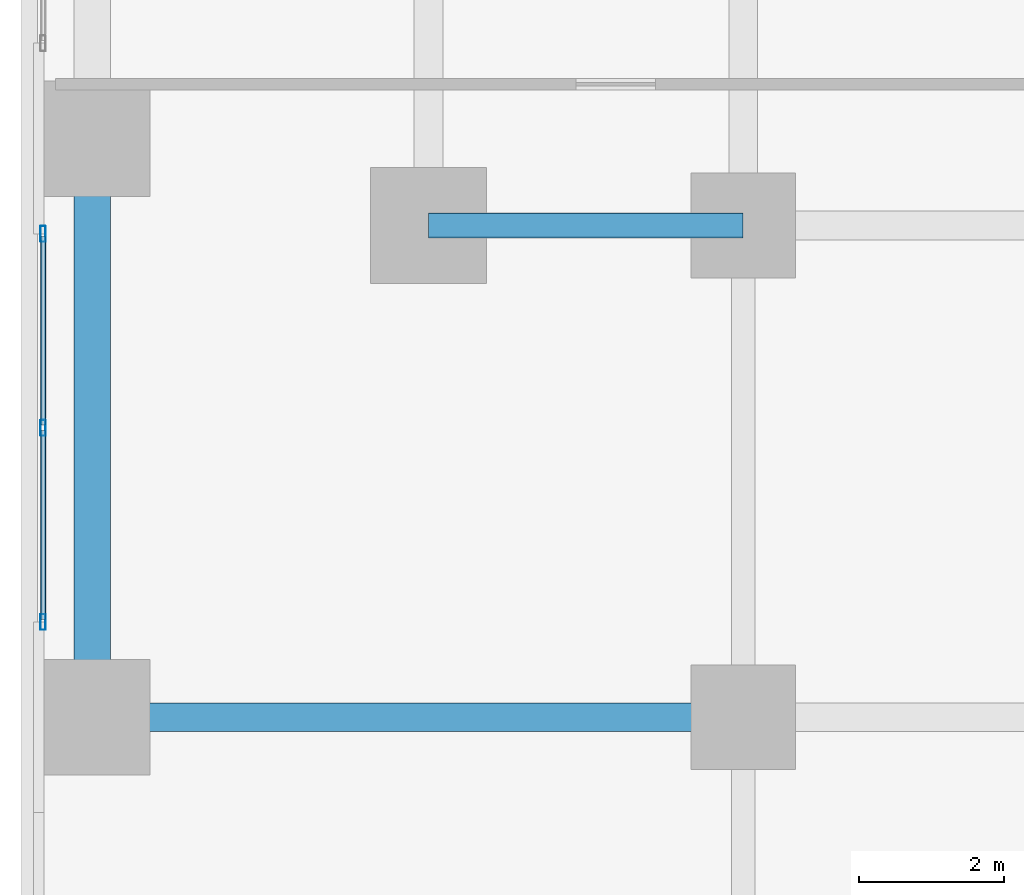
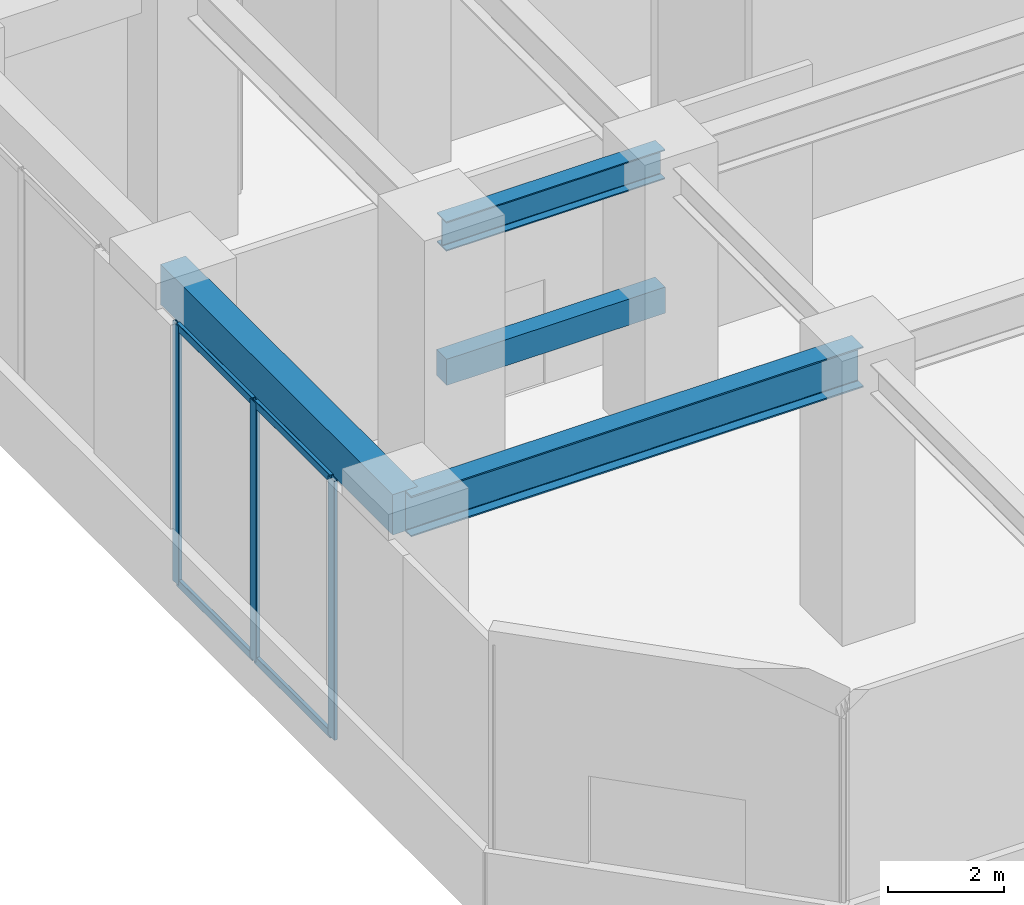
# One storey, part 3 of 34: 7 members, 4 beams, 1 element without a shape of its own.
"""IFC4 building model written with IfcOpenShell, lengths in metres."""

from ifc_helpers import new_model, si_unit, direction, frame, origin, origin_2d, place, context, subcontext, project, spatial, rectangle, hollow_rectangle, i_section, extrude, source, transform, mapped, material, material_profile, profile_set, type_object, element, aggregate, save


model = new_model("IFC4")

# Units and contexts
model_context = context("Model", 3, precision=1e-05, world=origin(), true_north=direction((0.0, 1.0)))
body_context = subcontext(model_context, "Body", "Model", "MODEL_VIEW")
ifc_project = project(units=[si_unit("LENGTHUNIT", "METRE"), si_unit("AREAUNIT", "SQUARE_METRE"), si_unit("VOLUMEUNIT", "CUBIC_METRE"), si_unit("PLANEANGLEUNIT", "RADIAN"), si_unit("MASSUNIT", "GRAM", prefix="KILO")], contexts=[model_context])

# Site, building, storey
site_placement = place(None, origin())
site = spatial("IfcSite", under=ifc_project, at=site_placement, CompositionType="ELEMENT")
building_placement = place(site_placement, origin())
building = spatial("IfcBuilding", under=site, at=building_placement, Name="Torre Montelarca", CompositionType="ELEMENT")
storey_placement = place(building_placement, frame((0.0, 0.0, 6.0)))
storey = spatial("IfcBuildingStorey", under=building, at=storey_placement, Name="L02", CompositionType="ELEMENT", Elevation=6.0)

# Beams
ifc_material_1 = material(Name="Steel ASTM A992 Grade 50", Category="steel")
ifc_material_profile_1 = material_profile(ifc_material_1, i_section(OverallWidth=0.39990234375, OverallDepth=0.85498046875, WebThickness=0.018310546875, FlangeThickness=0.029296875, FilletRadius=0.02001953125, at=origin_2d()), Name="W840X299", Category="steel")
ifc_profile_set_1 = profile_set([ifc_material_profile_1], Name="Steel ASTM A992 Grade 50")
beam_type_1 = type_object("IfcBeamType", Name="BM-G-W840", PredefinedType="BEAM", material=ifc_profile_set_1)
shared_shape_1 = source(origin(), body_context, "Body", "SweptSolid", [
    extrude(i_section(OverallWidth=0.39990234375, OverallDepth=0.85498046875, WebThickness=0.018310546875, FlangeThickness=0.029296875, FilletRadius=0.02001953125, at=origin_2d()), origin(), (0.0, 0.0, 1.0), 9.0),
])
beam_1_placement = place(storey_placement, frame((0.0, 8.0, 5.31201171875), z_axis=(1.0, 0.0, 0.0), x_axis=(0.0, 1.0, 0.0)))
element("IfcBeam", 1, at=beam_1_placement, inside=storey, type_object=beam_type_1, Name="L02 Grid Girder X 0.0-9.0 at Y=8.0", PredefinedType="BEAM", context=body_context, shape_type="MappedRepresentation", body=[
    mapped(shared_shape_1, transform((0.0, 0.0, 0.0), scale=1.0)),
])
ifc_material_profile_2 = material_profile(ifc_material_1, i_section(OverallWidth=0.326904296875, OverallDepth=0.6220703125, WebThickness=0.015380859375, FlangeThickness=0.0244140625, FilletRadius=0.014892578125, at=origin_2d()), Name="W610X195", Category="steel")
ifc_profile_set_2 = profile_set([ifc_material_profile_2], Name="Steel ASTM A992 Grade 50")
beam_type_2 = type_object("IfcBeamType", Name="BM-G-W610H", PredefinedType="BEAM", material=ifc_profile_set_2)
shared_shape_2 = source(origin(), body_context, "Body", "SweptSolid", [
    extrude(i_section(OverallWidth=0.326904296875, OverallDepth=0.6220703125, WebThickness=0.015380859375, FlangeThickness=0.0244140625, FilletRadius=0.014892578125, at=origin_2d()), origin(), (0.0, 0.0, 1.0), 4.35009765625),
])
beam_2_placement = place(storey_placement, frame((4.64990234375, 14.800048828125, 5.428955078125), z_axis=(1.0, 0.0, 0.0), x_axis=(0.0, 1.0, 0.0)))
element("IfcBeam", 2, at=beam_2_placement, inside=storey, type_object=beam_type_2, Name="L02 Grid Girder X 4.7-9.0 at Y=14.8", PredefinedType="BEAM", context=body_context, shape_type="MappedRepresentation", body=[
    mapped(shared_shape_2, transform((0.0, 0.0, 0.0), scale=1.0)),
])
ifc_material_2 = material(Name="Concrete C55/67", Category="concrete")
ifc_material_profile_3 = material_profile(ifc_material_2, rectangle(XDim=0.5, YDim=0.85009765625, at=origin_2d()), Name="RCB500X850", Category="concrete")
ifc_profile_set_3 = profile_set([ifc_material_profile_3], Name="Concrete C55/67")
beam_type_3 = type_object("IfcBeamType", Name="BM-SP-RC850-EXT", PredefinedType="SPANDREL", material=ifc_profile_set_3)
shared_shape_3 = source(origin(), body_context, "Body", "SweptSolid", [
    extrude(rectangle(XDim=0.5, YDim=0.85009765625, at=origin_2d()), origin(), (0.0, 0.0, 1.0), 8.0),
])
beam_3_placement = place(storey_placement, frame((0.0, 8.0, 5.31494140625), z_axis=(0.0, 1.0, 0.0), x_axis=(-1.0, 0.0, 0.0)))
element("IfcBeam", 3, at=beam_3_placement, inside=storey, type_object=beam_type_3, Name="L02 Grid Girder Y 8.0-16.0 at X=0.0", PredefinedType="SPANDREL", context=body_context, shape_type="MappedRepresentation", body=[
    mapped(shared_shape_3, transform((0.0, 0.0, 0.0), scale=1.0)),
])
ifc_material_profile_4 = material_profile(ifc_material_2, rectangle(XDim=0.35009765625, YDim=0.550048828125, at=origin_2d()), Name="RCB350X550", Category="concrete")
ifc_profile_set_4 = profile_set([ifc_material_profile_4], Name="Concrete C55/67")
beam_type_4 = type_object("IfcBeamType", Name="BM-LN-RC550", PredefinedType="LINTEL", material=ifc_profile_set_4)
shared_shape_4 = source(origin(), body_context, "Body", "SweptSolid", [
    extrude(rectangle(XDim=0.35009765625, YDim=0.550048828125, at=origin_2d()), origin(), (0.0, 0.0, 1.0), 4.35009765625),
])
beam_4_placement = place(storey_placement, frame((4.64990234375, 14.800048828125, 2.580078125), z_axis=(1.0, 0.0, 0.0), x_axis=(0.0, 1.0, 0.0)))
element("IfcBeam", 4, at=beam_4_placement, inside=storey, type_object=beam_type_4, Name="L02 Gallery Header Lintel Beam", PredefinedType="LINTEL", context=body_context, shape_type="MappedRepresentation", body=[
    mapped(shared_shape_4, transform((0.0, 0.0, 0.0), scale=1.0)),
])

# Curtain wall, members
ifc_material_3 = material(Name="Insulated low-E laminated glass", Category="glass")
curtain_wall_type = type_object("IfcCurtainWallType", Name="CW-SYS-POD2", PredefinedType="USERDEFINED", material=ifc_material_3)
curtain_wall_placement = place(storey_placement, origin())
curtain_wall = element("IfcCurtainWall", 5, at=curtain_wall_placement, inside=storey, type_object=curtain_wall_type, Name="L02 Curtain Wall Run CW-T3-L02-E10-B4", ObjectType="UNITISED GLAZING", PredefinedType="USERDEFINED")
ifc_material_4 = material(Name="Anodised aluminium AA 6063-T6", Category="aluminium")
ifc_material_profile_5 = material_profile(ifc_material_4, hollow_rectangle(XDim=0.074951171875, YDim=0.219970703125, WallThickness=0.0048828125, InnerFilletRadius=0.0048828125, OuterFilletRadius=0.010009765625, at=origin_2d()), Name="ALU75X220X5", Category="aluminium")
ifc_profile_set_5 = profile_set([ifc_material_profile_5], Name="Anodised aluminium AA 6063-T6")
member_type_1 = type_object("IfcMemberType", Name="CWM-ALU220", PredefinedType="MULLION", material=ifc_profile_set_5)
shared_shape_5 = source(origin(), body_context, "Body", "SweptSolid", [
    extrude(hollow_rectangle(XDim=0.074951171875, YDim=0.219970703125, WallThickness=0.0048828125, InnerFilletRadius=0.0048828125, OuterFilletRadius=0.010009765625, at=origin_2d()), origin(), (0.0, 0.0, 1.0), 5.449951171875),
])
member_1_placement = place(storey_placement, frame((-0.679931640625, 14.6826171875, 0.0), z_axis=(0.0, 0.0, 1.0), x_axis=(1.0, 0.0, 0.0)))
member_1 = element("IfcMember", 6, at=member_1_placement, type_object=member_type_1, Name="CW mullion 1", PredefinedType="MULLION", context=body_context, shape_type="MappedRepresentation", body=[
    mapped(shared_shape_5, transform((0.0, 0.0, 0.0), scale=1.0)),
])
member_2_placement = place(storey_placement, frame((-0.679931640625, 12.0, 0.0), z_axis=(0.0, 0.0, 1.0), x_axis=(1.0, 0.0, 0.0)))
member_2 = element("IfcMember", 7, at=member_2_placement, type_object=member_type_1, Name="CW mullion 2", PredefinedType="MULLION", context=body_context, shape_type="MappedRepresentation", body=[
    mapped(shared_shape_5, transform((0.0, 0.0, 0.0), scale=1.0)),
])
member_3_placement = place(storey_placement, frame((-0.679931640625, 9.3173828125, 0.0), z_axis=(0.0, 0.0, 1.0), x_axis=(1.0, 0.0, 0.0)))
member_3 = element("IfcMember", 8, at=member_3_placement, type_object=member_type_1, Name="CW mullion 3", PredefinedType="MULLION", context=body_context, shape_type="MappedRepresentation", body=[
    mapped(shared_shape_5, transform((0.0, 0.0, 0.0), scale=1.0)),
])
ifc_material_profile_6 = material_profile(ifc_material_4, hollow_rectangle(XDim=0.074951171875, YDim=0.159912109375, WallThickness=0.0048828125, InnerFilletRadius=0.0048828125, OuterFilletRadius=0.010009765625, at=origin_2d()), Name="ALU75X160X5", Category="aluminium")
ifc_profile_set_6 = profile_set([ifc_material_profile_6], Name="Anodised aluminium AA 6063-T6")
member_type_2 = type_object("IfcMemberType", Name="CWT-ALU160", PredefinedType="USERDEFINED", material=ifc_profile_set_6)
shared_shape_6 = source(origin(), body_context, "Body", "SweptSolid", [
    extrude(hollow_rectangle(XDim=0.074951171875, YDim=0.159912109375, WallThickness=0.0048828125, InnerFilletRadius=0.0048828125, OuterFilletRadius=0.010009765625, at=origin_2d()), origin(), (0.0, 0.0, 1.0), 2.607421875),
])
member_4_placement = place(storey_placement, frame((-0.679931640625, 14.64501953125, 0.03759765625), z_axis=(0.0, -1.0, 0.0), x_axis=(1.0, 0.0, 0.0)))
member_4 = element("IfcMember", 9, at=member_4_placement, type_object=member_type_2, Name="CW transom 1.1", ObjectType="TRANSOM", PredefinedType="USERDEFINED", context=body_context, shape_type="MappedRepresentation", body=[
    mapped(shared_shape_6, transform((0.0, 0.0, 0.0), scale=1.0)),
])
member_5_placement = place(storey_placement, frame((-0.679931640625, 14.64501953125, 5.41259765625), z_axis=(0.0, -1.0, 0.0), x_axis=(1.0, 0.0, 0.0)))
member_5 = element("IfcMember", 10, at=member_5_placement, type_object=member_type_2, Name="CW transom 1.2", ObjectType="TRANSOM", PredefinedType="USERDEFINED", context=body_context, shape_type="MappedRepresentation", body=[
    mapped(shared_shape_6, transform((0.0, 0.0, 0.0), scale=1.0)),
])
member_6_placement = place(storey_placement, frame((-0.679931640625, 11.96240234375, 0.03759765625), z_axis=(0.0, -1.0, 0.0), x_axis=(1.0, 0.0, 0.0)))
member_6 = element("IfcMember", 11, at=member_6_placement, type_object=member_type_2, Name="CW transom 2.1", ObjectType="TRANSOM", PredefinedType="USERDEFINED", context=body_context, shape_type="MappedRepresentation", body=[
    mapped(shared_shape_6, transform((0.0, 0.0, 0.0), scale=1.0)),
])
member_7_placement = place(storey_placement, frame((-0.679931640625, 11.96240234375, 5.41259765625), z_axis=(0.0, -1.0, 0.0), x_axis=(1.0, 0.0, 0.0)))
member_7 = element("IfcMember", 12, at=member_7_placement, type_object=member_type_2, Name="CW transom 2.2", ObjectType="TRANSOM", PredefinedType="USERDEFINED", context=body_context, shape_type="MappedRepresentation", body=[
    mapped(shared_shape_6, transform((0.0, 0.0, 0.0), scale=1.0)),
])
aggregate(curtain_wall, [member_1, member_2, member_3, member_4, member_5, member_6, member_7])

save(model, "model.ifc")
